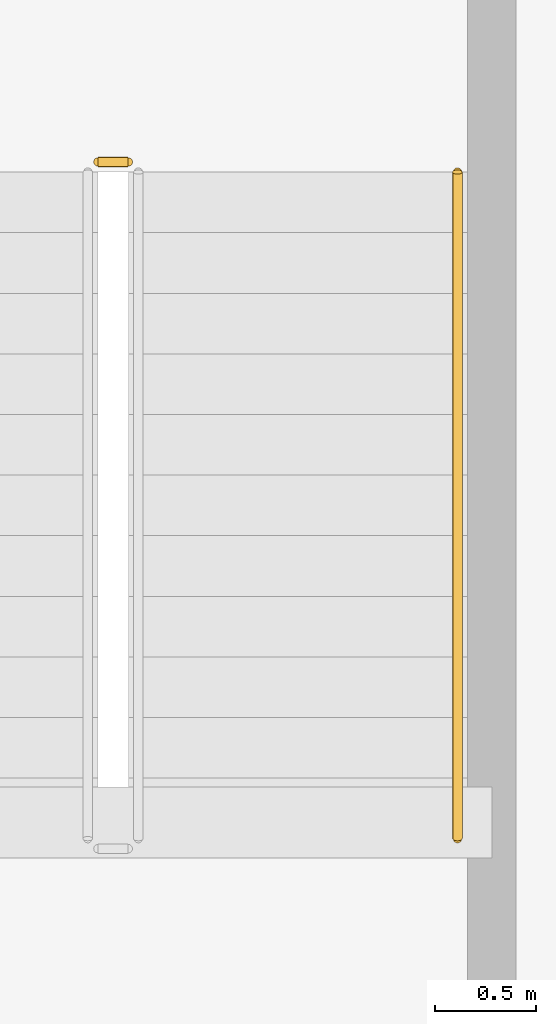
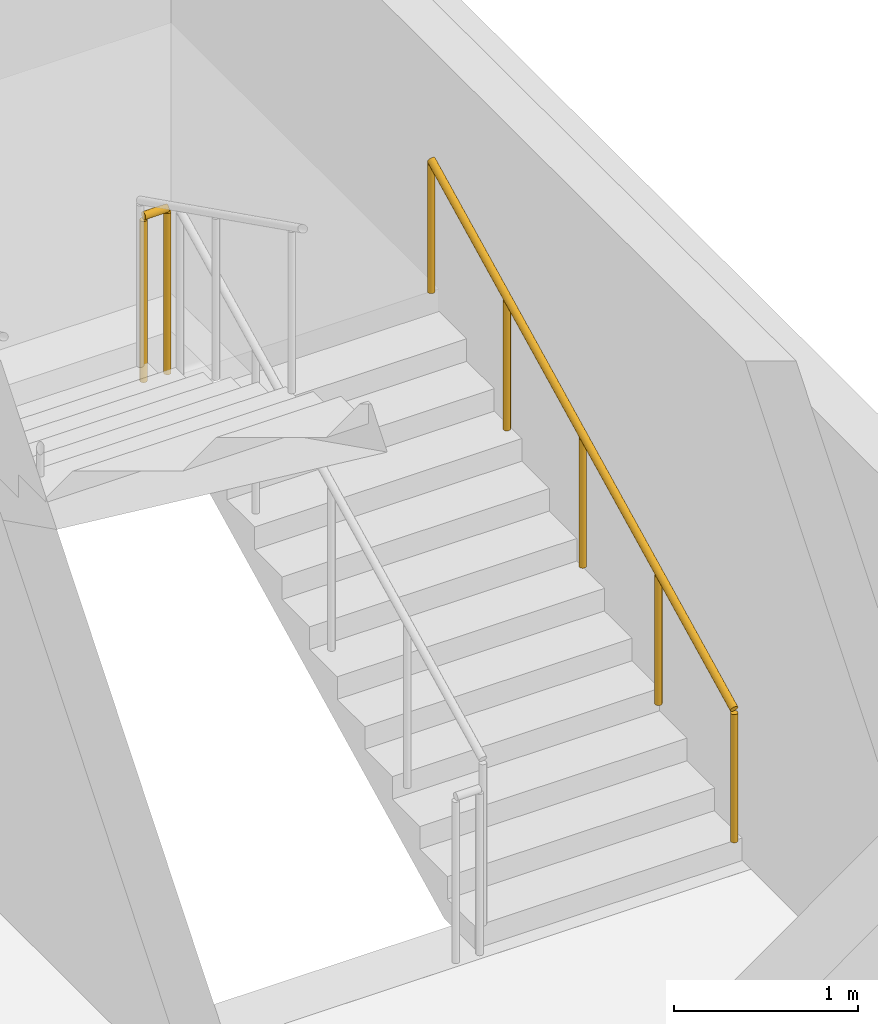
# One storey, part 16 of 16: 2 railings.
"""IFC4 building model written with IfcOpenShell, lengths in metres."""

from ifc_helpers import new_model, si_unit, direction, frame, origin, origin_2d, place, context, subcontext, project, spatial, circle, extrude, material, layer, layer_set, type_object, element, save


model = new_model("IFC4")

# Units and contexts
model_context = context("Model", 3, precision=1e-05, world=origin(), true_north=direction((0.0, 1.0)))
body_context = subcontext(model_context, "Body", "Model", "MODEL_VIEW")
ifc_project = project(units=[si_unit("LENGTHUNIT", "METRE"), si_unit("AREAUNIT", "SQUARE_METRE"), si_unit("VOLUMEUNIT", "CUBIC_METRE"), si_unit("PLANEANGLEUNIT", "RADIAN"), si_unit("MASSUNIT", "GRAM", prefix="KILO")], contexts=[model_context])

# Site, building, storey
site_placement = place(None, origin())
site = spatial("IfcSite", under=ifc_project, at=site_placement, CompositionType="ELEMENT")
building_placement = place(site_placement, origin())
building = spatial("IfcBuilding", under=site, at=building_placement, Name="Yukiwa Park Conservatory and Herbarium", CompositionType="ELEMENT")
storey_placement = place(building_placement, frame((0.0, 0.0, 39.60009765625)))
storey = spatial("IfcBuildingStorey", under=building, at=storey_placement, Name="L10", CompositionType="ELEMENT", Elevation=39.60009765625)

# Railings
ifc_material_1 = material(Name="Steel Q235B", Category="steel")
ifc_layer_1 = layer(ifc_material_1, 0.050048828125)
ifc_layer_set_1 = layer_set([ifc_layer_1], Name="Steel Q235B")
railing_type_1 = type_object("IfcRailingType", Name="RL-STAIR-GUARD-1120", PredefinedType="BALUSTRADE", material=ifc_layer_set_1)
railing_1_placement = place(storey_placement, frame((165.52001953125, 111.72998046875, 1.7998046875)))
element("IfcRailing", 1, at=railing_1_placement, inside=storey, type_object=railing_type_1, Name="L10 ST-T3 stair guard 2", PredefinedType="BALUSTRADE", context=body_context, shape_type="SweptSolid", body=[
    extrude(circle(Radius=0.02392578125, at=origin_2d()), frame((0.0, 0.0, 1.09619140625), z_axis=(-1.0, 0.0, 0.0), x_axis=(0.0, -1.0, 0.0)), (0.0, 0.0, 1.0), 0.14990234375),
    extrude(circle(Radius=0.02099609375, at=origin_2d()), origin(), (0.0, 0.0, 1.0), 1.072021484375),
    extrude(circle(Radius=0.02099609375, at=origin_2d()), frame((-0.14990234375, 0.0, 0.0)), (0.0, 0.0, 1.0), 1.072021484375),
])
ifc_material_2 = material(Name="Steel Q235B", Category="steel")
ifc_layer_2 = layer(ifc_material_2, 0.044921875)
ifc_layer_set_2 = layer_set([ifc_layer_2], Name="Steel Q235B")
railing_type_2 = type_object("IfcRailingType", Name="RL-STAIR-RAIL-900", PredefinedType="HANDRAIL", material=ifc_layer_set_2)
railing_2_placement = place(storey_placement, frame((167.14990234375, 108.3798828125, 0.14990234375)))
element("IfcRailing", 2, at=railing_2_placement, inside=storey, type_object=railing_type_2, Name="L10 ST-T3 stair handrail 1", PredefinedType="HANDRAIL", context=body_context, shape_type="SweptSolid", body=[
    extrude(circle(Radius=0.02392578125, at=origin_2d()), frame((0.0, 0.0, 0.8759765625), z_axis=(0.0, 0.894440424912, 0.447187126696), x_axis=(-1.0, 0.0, 0.0)), (0.0, 0.0, 1.0), 3.689453125),
    extrude(circle(Radius=0.02099609375, at=origin_2d()), origin(), (0.0, 0.0, 1.0), 0.851806640625),
    extrude(circle(Radius=0.02099609375, at=origin_2d()), frame((0.0, 0.824951171875, 0.41259765625)), (0.0, 0.0, 1.0), 0.851806640625),
    extrude(circle(Radius=0.02099609375, at=origin_2d()), frame((0.0, 1.64990234375, 0.824951171875)), (0.0, 0.0, 1.0), 0.851806640625),
    extrude(circle(Radius=0.02099609375, at=origin_2d()), frame((0.0, 2.47509765625, 1.2373046875)), (0.0, 0.0, 1.0), 0.851806640625),
    extrude(circle(Radius=0.02099609375, at=origin_2d()), frame((0.0, 3.300048828125, 1.64990234375)), (0.0, 0.0, 1.0), 0.851806640625),
])

save(model, "model.ifc")
